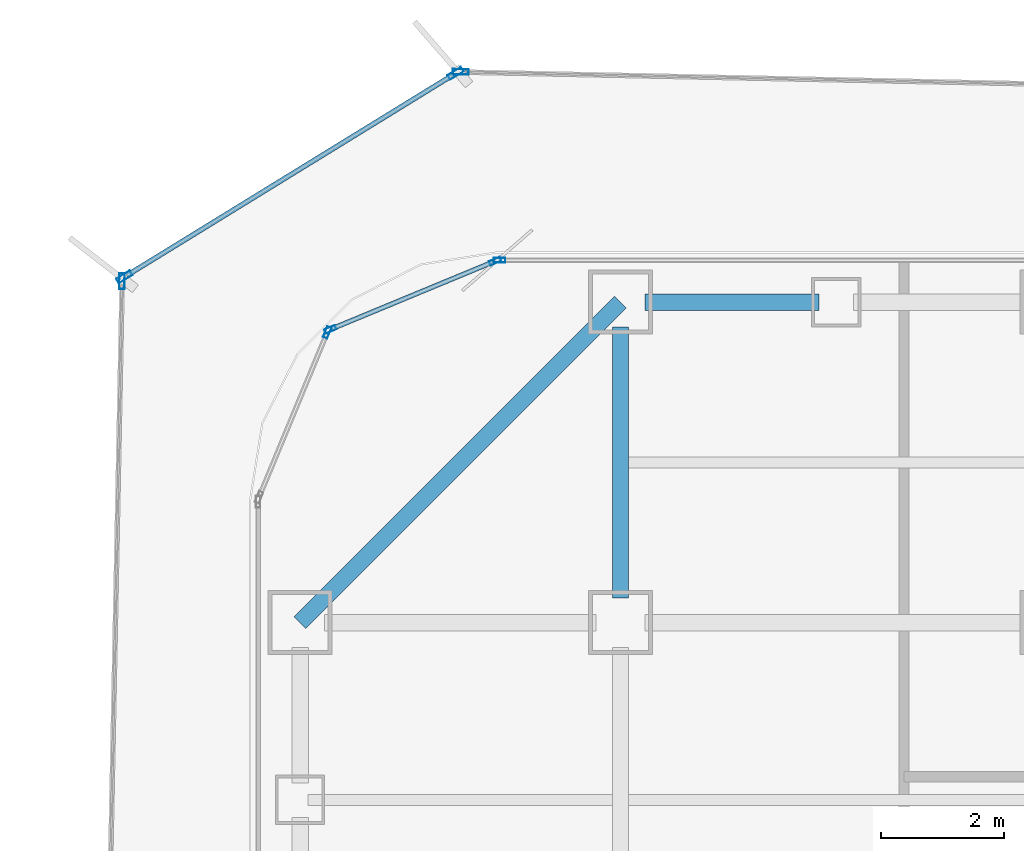
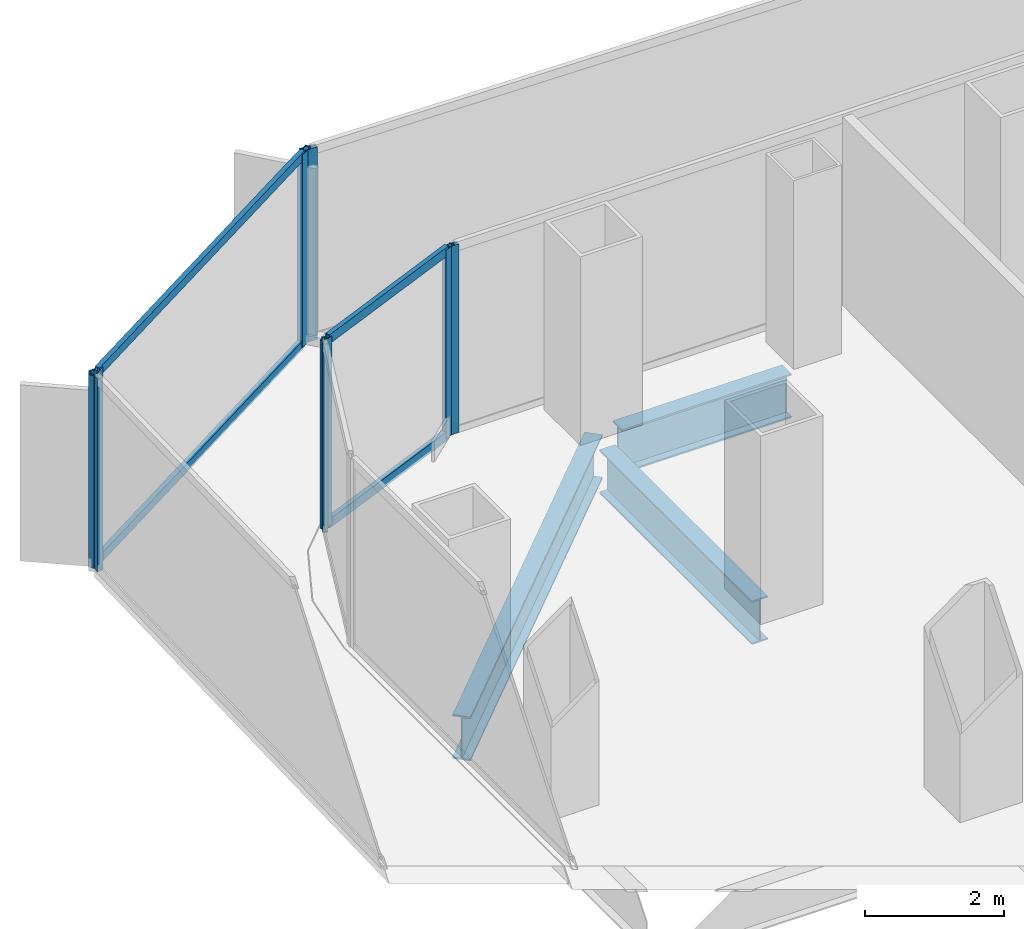
# One storey, part 11 of 21: 12 members, 3 beams, 6 elements without a shape of their own.
"""IFC4 building model written with IfcOpenShell, lengths in metres."""

from ifc_helpers import new_model, si_unit, direction, frame, origin, origin_2d, place, context, subcontext, project, spatial, hollow_rectangle, i_section, extrude, source, transform, mapped, material, layer, layer_set, material_profile, profile_set, type_object, element, aggregate, save


model = new_model("IFC4")

# Units and contexts
model_context = context("Model", 3, precision=1e-05, world=origin(), true_north=direction((0.0, 1.0)))
body_context = subcontext(model_context, "Body", "Model", "MODEL_VIEW")
ifc_project = project(units=[si_unit("LENGTHUNIT", "METRE"), si_unit("AREAUNIT", "SQUARE_METRE"), si_unit("VOLUMEUNIT", "CUBIC_METRE"), si_unit("PLANEANGLEUNIT", "RADIAN"), si_unit("MASSUNIT", "GRAM", prefix="KILO")], contexts=[model_context])

# Site, building, storey
site_placement = place(None, origin())
site = spatial("IfcSite", under=ifc_project, at=site_placement, CompositionType="ELEMENT")
building_placement = place(site_placement, origin())
building = spatial("IfcBuilding", under=site, at=building_placement, Name="Kolveth Station Tower", CompositionType="ELEMENT")
storey_placement = place(building_placement, frame((0.0, 0.0, 44.10009765625)))
storey = spatial("IfcBuildingStorey", under=building, at=storey_placement, Name="L11", CompositionType="ELEMENT", Elevation=44.10009765625)

# Beams
ifc_material_1 = material(Name="Steel S355", Category="steel")
ifc_material_profile_1 = material_profile(ifc_material_1, i_section(OverallWidth=0.26904296875, OverallDepth=0.77490234375, WebThickness=0.01708984375, FlangeThickness=0.0283203125, at=origin_2d()), Name="W760x220")
ifc_profile_set_1 = profile_set([ifc_material_profile_1], Name="Steel S355")
beam_type_1 = type_object("IfcBeamType", Name="Beam_SP1", PredefinedType="SPANDREL", material=ifc_profile_set_1)
shared_shape_1 = source(origin(), body_context, "Body", "SweptSolid", [
    extrude(i_section(OverallWidth=0.26904296875, OverallDepth=0.77490234375, WebThickness=0.01708984375, FlangeThickness=0.0283203125, at=origin_2d()), origin(), (0.0, 0.0, 1.0), 7.353759765625),
])
beam_1_placement = place(storey_placement, frame((6.0, 39.699951171875, -0.66748046875), z_axis=(-0.707106781187, -0.707106781187, 0.0), x_axis=(0.707106781187, -0.707106781187, 0.0)))
element("IfcBeam", 1, at=beam_1_placement, inside=storey, type_object=beam_type_1, Name="L11 Corner Edge Girder BM-L11-CNR-NW", PredefinedType="SPANDREL", context=body_context, shape_type="MappedRepresentation", body=[
    mapped(shared_shape_1, transform((0.0, 0.0, 0.0), x_axis=(1.0, 0.0, 0.0), y_axis=(0.0, 1.0, 0.0), z_axis=(0.0, 0.0, 1.0), scale=1.0)),
])
shared_shape_2 = source(origin(), body_context, "Body", "SweptSolid", [
    extrude(i_section(OverallWidth=0.26904296875, OverallDepth=0.77490234375, WebThickness=0.01708984375, FlangeThickness=0.0283203125, at=origin_2d()), origin(), (0.0, 0.0, 1.0), 2.820068359375),
])
beam_2_placement = place(storey_placement, frame((6.39990234375, 39.699951171875, -0.66748046875), z_axis=(1.0, 0.0, 0.0), x_axis=(0.0, 1.0, 0.0)))
element("IfcBeam", 2, at=beam_2_placement, inside=storey, type_object=beam_type_1, Name="L11 Perimeter Spandrel BM-L11-PN-1", PredefinedType="SPANDREL", context=body_context, shape_type="MappedRepresentation", body=[
    mapped(shared_shape_2, transform((0.0, 0.0, 0.0), x_axis=(1.0, 0.0, 0.0), y_axis=(0.0, 1.0, 0.0), z_axis=(0.0, 0.0, 1.0), scale=1.0)),
])
ifc_material_profile_2 = material_profile(ifc_material_1, i_section(OverallWidth=0.26708984375, OverallDepth=0.76611328125, WebThickness=0.014892578125, FlangeThickness=0.023681640625, at=origin_2d()), Name="W760x185")
ifc_profile_set_2 = profile_set([ifc_material_profile_2], Name="Steel S355")
beam_type_2 = type_object("IfcBeamType", Name="Beam_B3", PredefinedType="BEAM", material=ifc_profile_set_2)
shared_shape_3 = source(origin(), body_context, "Body", "SweptSolid", [
    extrude(i_section(OverallWidth=0.26708984375, OverallDepth=0.76611328125, WebThickness=0.014892578125, FlangeThickness=0.023681640625, at=origin_2d()), origin(), (0.0, 0.0, 1.0), 4.400146484375),
])
beam_3_placement = place(storey_placement, frame((6.0, 34.89990234375, -0.6630859375), z_axis=(0.0, 1.0, 0.0), x_axis=(-1.0, 0.0, 0.0)))
element("IfcBeam", 3, at=beam_3_placement, inside=storey, type_object=beam_type_2, Name="L11 Primary Girder BM-L11-GX60-7", PredefinedType="BEAM", context=body_context, shape_type="MappedRepresentation", body=[
    mapped(shared_shape_3, transform((0.0, 0.0, 0.0), x_axis=(1.0, 0.0, 0.0), y_axis=(0.0, 1.0, 0.0), z_axis=(0.0, 0.0, 1.0), scale=1.0)),
])

# Curtain wall, members
ifc_material_2 = material(Name="Aluminium 6063-T6 and low-E dark glass", Category="aluminium")
ifc_layer_1 = layer(ifc_material_2, 0.179931640625)
ifc_layer_set_1 = layer_set([ifc_layer_1], Name="Aluminium 6063-T6 and low-E dark glass")
curtain_wall_type_1 = type_object("IfcCurtainWallType", Name="CurtainWall_CW-Z1", PredefinedType="NOTDEFINED", material=ifc_layer_set_1)
curtain_wall_1_placement = place(storey_placement, origin())
curtain_wall_1 = element("IfcCurtainWall", 4, at=curtain_wall_1_placement, inside=storey, type_object=curtain_wall_type_1, Name="L11 Inner Thermal Curtain Wall 7", PredefinedType="NOTDEFINED")
ifc_material_3 = material(Name="Black anodized aluminium 6063-T6", Category="aluminium")
ifc_material_profile_3 = material_profile(ifc_material_3, hollow_rectangle(XDim=0.074951171875, YDim=0.159912109375, WallThickness=0.0048828125, at=origin_2d()), Name="ALU-75x160x5")
ifc_profile_set_3 = profile_set([ifc_material_profile_3], Name="Black anodized aluminium 6063-T6")
member_type_1 = type_object("IfcMemberType", Name="Transom_TR1", PredefinedType="USERDEFINED", material=ifc_profile_set_3)
shared_shape_4 = source(origin(), body_context, "Body", "SweptSolid", [
    extrude(hollow_rectangle(XDim=0.074951171875, YDim=0.159912109375, WallThickness=0.0048828125, at=origin_2d()), origin(), (0.0, 0.0, 1.0), 2.819580078125),
])
member_1_placement = place(storey_placement, frame((3.9306640625, 40.351318359375, 0.037353515625), z_axis=(-0.923869084389, -0.382708655389, 0.0), x_axis=(0.382708655389, -0.923869084389, 0.0)))
member_1 = element("IfcMember", 5, at=member_1_placement, type_object=member_type_1, Name="CW-Z1 transom 1.1", ObjectType="TRANSOM", PredefinedType="USERDEFINED", context=body_context, shape_type="MappedRepresentation", body=[
    mapped(shared_shape_4, transform((0.0, 0.0, 0.0), x_axis=(1.0, 0.0, 0.0), y_axis=(0.0, 1.0, 0.0), z_axis=(0.0, 0.0, 1.0), scale=1.0)),
])
member_2_placement = place(storey_placement, frame((3.9306640625, 40.351318359375, 3.282470703125), z_axis=(-0.923869084389, -0.382708655389, 0.0), x_axis=(0.382708655389, -0.923869084389, 0.0)))
member_2 = element("IfcMember", 6, at=member_2_placement, type_object=member_type_1, Name="CW-Z1 transom 1.2", ObjectType="TRANSOM", PredefinedType="USERDEFINED", context=body_context, shape_type="MappedRepresentation", body=[
    mapped(shared_shape_4, transform((0.0, 0.0, 0.0), x_axis=(1.0, 0.0, 0.0), y_axis=(0.0, 1.0, 0.0), z_axis=(0.0, 0.0, 1.0), scale=1.0)),
])

# Curtain wall, member
ifc_material_4 = material(Name="Black anodized aluminium 6063-T6 and dark solar glass", Category="aluminium")
ifc_layer_2 = layer(ifc_material_4, 0.159912109375)
ifc_layer_set_2 = layer_set([ifc_layer_2], Name="Black anodized aluminium 6063-T6 and dark solar glass")
curtain_wall_type_2 = type_object("IfcCurtainWallType", Name="OUTER SKIN CW-OS", PredefinedType="NOTDEFINED", material=ifc_layer_set_2)
curtain_wall_2_placement = place(storey_placement, origin())
curtain_wall_2 = element("IfcCurtainWall", 7, at=curtain_wall_2_placement, inside=storey, type_object=curtain_wall_type_2, Name="L11 Outer Ventilated Skin Curtain Wall 4", PredefinedType="NOTDEFINED")
ifc_material_profile_4 = material_profile(ifc_material_3, hollow_rectangle(XDim=0.090087890625, YDim=0.260009765625, WallThickness=0.0048828125, at=origin_2d()), Name="ALU-90x260x5")
ifc_profile_set_4 = profile_set([ifc_material_profile_4], Name="Black anodized aluminium 6063-T6")
member_type_2 = type_object("IfcMemberType", Name="FIN MULLION ML-OS", PredefinedType="MULLION", material=ifc_profile_set_4)
shared_shape_5 = source(origin(), body_context, "Body", "SweptSolid", [
    extrude(hollow_rectangle(XDim=0.090087890625, YDim=0.260009765625, WallThickness=0.0048828125, at=origin_2d()), origin(), (0.0, 0.0, 1.0), 3.389892578125),
])
member_3_placement = place(storey_placement, frame((3.407958984375, 43.4365234375, 0.0), z_axis=(0.0, 0.0, 1.0), x_axis=(-0.020609842001, -0.999787594648, 0.0)))
member_3 = element("IfcMember", 8, at=member_3_placement, type_object=member_type_2, Name="CW-OS mullion 2", PredefinedType="MULLION", context=body_context, shape_type="MappedRepresentation", body=[
    mapped(shared_shape_5, transform((0.0, 0.0, 0.0), x_axis=(1.0, 0.0, 0.0), y_axis=(0.0, 1.0, 0.0), z_axis=(0.0, 0.0, 1.0), scale=1.0)),
])
aggregate(curtain_wall_2, [member_3])

# Curtain wall, members
curtain_wall_3_placement = place(storey_placement, origin())
curtain_wall_3 = element("IfcCurtainWall", 9, at=curtain_wall_3_placement, inside=storey, type_object=curtain_wall_type_2, Name="L11 Outer Ventilated Skin Curtain Wall 5", PredefinedType="NOTDEFINED")
member_4_placement = place(storey_placement, frame((3.324462890625, 43.413818359375, 0.0), z_axis=(0.0, 0.0, 1.0), x_axis=(0.523735566798, -0.851880893124, 0.0)))
member_4 = element("IfcMember", 10, at=member_4_placement, type_object=member_type_2, Name="CW-OS mullion 1", PredefinedType="MULLION", context=body_context, shape_type="MappedRepresentation", body=[
    mapped(shared_shape_5, transform((0.0, 0.0, 0.0), x_axis=(1.0, 0.0, 0.0), y_axis=(0.0, 1.0, 0.0), z_axis=(0.0, 0.0, 1.0), scale=1.0)),
])
member_5_placement = place(storey_placement, frame((-2.050537109375, 40.109375, 0.0), z_axis=(0.0, 0.0, 1.0), x_axis=(0.523735566798, -0.851880893124, 0.0)))
member_5 = element("IfcMember", 11, at=member_5_placement, type_object=member_type_2, Name="CW-OS mullion 2", PredefinedType="MULLION", context=body_context, shape_type="MappedRepresentation", body=[
    mapped(shared_shape_5, transform((0.0, 0.0, 0.0), x_axis=(1.0, 0.0, 0.0), y_axis=(0.0, 1.0, 0.0), z_axis=(0.0, 0.0, 1.0), scale=1.0)),
])

# Curtain wall, member
curtain_wall_4_placement = place(storey_placement, origin())
curtain_wall_4 = element("IfcCurtainWall", 12, at=curtain_wall_4_placement, inside=storey, type_object=curtain_wall_type_2, Name="L11 Outer Ventilated Skin Curtain Wall 6", PredefinedType="NOTDEFINED")
member_6_placement = place(storey_placement, frame((-2.089599609375, 40.040771484375, 0.0), z_axis=(0.0, 0.0, 1.0), x_axis=(0.999804168414, -0.019789512944, 0.0)))
member_6 = element("IfcMember", 13, at=member_6_placement, type_object=member_type_2, Name="CW-OS mullion 1", PredefinedType="MULLION", context=body_context, shape_type="MappedRepresentation", body=[
    mapped(shared_shape_5, transform((0.0, 0.0, 0.0), x_axis=(1.0, 0.0, 0.0), y_axis=(0.0, 1.0, 0.0), z_axis=(0.0, 0.0, 1.0), scale=1.0)),
])
aggregate(curtain_wall_4, [member_6])

curtain_wall_5_placement = place(storey_placement, origin())
curtain_wall_5 = element("IfcCurtainWall", 14, at=curtain_wall_5_placement, inside=storey, type_object=curtain_wall_type_1, Name="L11 Inner Thermal Curtain Wall 6", PredefinedType="NOTDEFINED")
ifc_material_profile_5 = material_profile(ifc_material_3, hollow_rectangle(XDim=0.074951171875, YDim=0.18994140625, WallThickness=0.0048828125, at=origin_2d()), Name="ALU-75x190x5")
ifc_profile_set_5 = profile_set([ifc_material_profile_5], Name="Black anodized aluminium 6063-T6")
member_type_3 = type_object("IfcMemberType", Name="Mullion_ML1", PredefinedType="MULLION", material=ifc_profile_set_5)
shared_shape_6 = source(origin(), body_context, "Body", "SweptSolid", [
    extrude(hollow_rectangle(XDim=0.074951171875, YDim=0.18994140625, WallThickness=0.0048828125, at=origin_2d()), origin(), (0.0, 0.0, 1.0), 3.31982421875),
])
member_7_placement = place(storey_placement, frame((4.03759765625, 40.3798828125, 0.0), z_axis=(0.0, 0.0, 1.0), x_axis=(0.0, -1.0, 0.0)))
member_7 = element("IfcMember", 15, at=member_7_placement, type_object=member_type_3, Name="CW-Z1 mullion 3", PredefinedType="MULLION", context=body_context, shape_type="MappedRepresentation", body=[
    mapped(shared_shape_6, transform((0.0, 0.0, 0.0), x_axis=(1.0, 0.0, 0.0), y_axis=(0.0, 1.0, 0.0), z_axis=(0.0, 0.0, 1.0), scale=1.0)),
])
aggregate(curtain_wall_5, [member_7])

# Member
member_8_placement = place(storey_placement, frame((3.96533203125, 40.36572265625, 0.0), z_axis=(0.0, 0.0, 1.0), x_axis=(0.382672990201, -0.923883857728, 0.0)))
member_8 = element("IfcMember", 16, at=member_8_placement, type_object=member_type_3, Name="CW-Z1 mullion 1", PredefinedType="MULLION", context=body_context, shape_type="MappedRepresentation", body=[
    mapped(shared_shape_6, transform((0.0, 0.0, 0.0), x_axis=(1.0, 0.0, 0.0), y_axis=(0.0, 1.0, 0.0), z_axis=(0.0, 0.0, 1.0), scale=1.0)),
])

member_9_placement = place(storey_placement, frame((1.291015625, 39.258056640625, 0.0), z_axis=(0.0, 0.0, 1.0), x_axis=(0.382672990201, -0.923883857728, 0.0)))
member_9 = element("IfcMember", 17, at=member_9_placement, type_object=member_type_3, Name="CW-Z1 mullion 2", PredefinedType="MULLION", context=body_context, shape_type="MappedRepresentation", body=[
    mapped(shared_shape_6, transform((0.0, 0.0, 0.0), x_axis=(1.0, 0.0, 0.0), y_axis=(0.0, 1.0, 0.0), z_axis=(0.0, 0.0, 1.0), scale=1.0)),
])

aggregate(curtain_wall_1, [member_8, member_9, member_1, member_2])

# Curtain wall, member
curtain_wall_6_placement = place(storey_placement, origin())
curtain_wall_6 = element("IfcCurtainWall", 18, at=curtain_wall_6_placement, inside=storey, type_object=curtain_wall_type_1, Name="L11 Inner Thermal Curtain Wall 8", PredefinedType="NOTDEFINED")
member_10_placement = place(storey_placement, frame((1.241943359375, 39.208984375, 0.0), z_axis=(0.0, 0.0, 1.0), x_axis=(0.923883857728, -0.382672990201, 0.0)))
member_10 = element("IfcMember", 19, at=member_10_placement, type_object=member_type_3, Name="CW-Z1 mullion 1", PredefinedType="MULLION", context=body_context, shape_type="MappedRepresentation", body=[
    mapped(shared_shape_6, transform((0.0, 0.0, 0.0), x_axis=(1.0, 0.0, 0.0), y_axis=(0.0, 1.0, 0.0), z_axis=(0.0, 0.0, 1.0), scale=1.0)),
])
aggregate(curtain_wall_6, [member_10])

# Member
ifc_material_profile_6 = material_profile(ifc_material_3, hollow_rectangle(XDim=0.080078125, YDim=0.14990234375, WallThickness=0.0048828125, at=origin_2d()), Name="ALU-80x150x5")
ifc_profile_set_6 = profile_set([ifc_material_profile_6], Name="Black anodized aluminium 6063-T6")
member_type_4 = type_object("IfcMemberType", Name="Transom_TR-OS", PredefinedType="USERDEFINED", material=ifc_profile_set_6)
shared_shape_7 = source(origin(), body_context, "Body", "SweptSolid", [
    extrude(hollow_rectangle(XDim=0.080078125, YDim=0.14990234375, WallThickness=0.0048828125, at=origin_2d()), origin(), (0.0, 0.0, 1.0), 6.2197265625),
])
member_11_placement = place(storey_placement, frame((3.2861328125, 43.390380859375, 0.039794921875), z_axis=(-0.851869843172, -0.523753539648, 0.0), x_axis=(0.523753539648, -0.851869843172, 0.0)))
member_11 = element("IfcMember", 20, at=member_11_placement, type_object=member_type_4, Name="CW-OS transom 1.1", ObjectType="TRANSOM", PredefinedType="USERDEFINED", context=body_context, shape_type="MappedRepresentation", body=[
    mapped(shared_shape_7, transform((0.0, 0.0, 0.0), x_axis=(1.0, 0.0, 0.0), y_axis=(0.0, 1.0, 0.0), z_axis=(0.0, 0.0, 1.0), scale=1.0)),
])

member_12_placement = place(storey_placement, frame((3.2861328125, 43.390380859375, 3.349853515625), z_axis=(-0.851869843172, -0.523753539648, 0.0), x_axis=(0.523753539648, -0.851869843172, 0.0)))
member_12 = element("IfcMember", 21, at=member_12_placement, type_object=member_type_4, Name="CW-OS transom 1.2", ObjectType="TRANSOM", PredefinedType="USERDEFINED", context=body_context, shape_type="MappedRepresentation", body=[
    mapped(shared_shape_7, transform((0.0, 0.0, 0.0), x_axis=(1.0, 0.0, 0.0), y_axis=(0.0, 1.0, 0.0), z_axis=(0.0, 0.0, 1.0), scale=1.0)),
])

aggregate(curtain_wall_3, [member_4, member_5, member_11, member_12])

save(model, "model.ifc")
